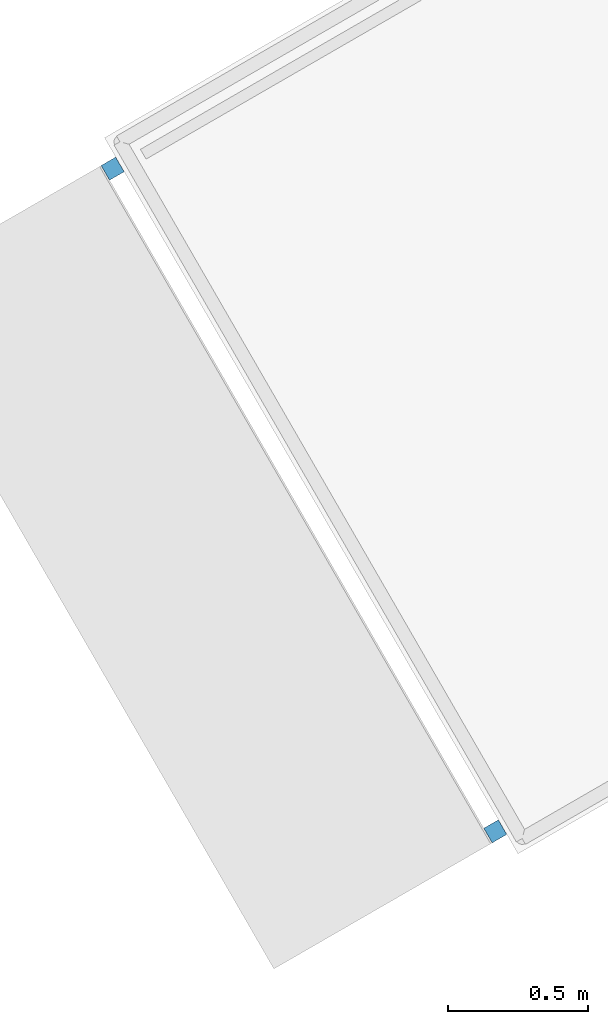
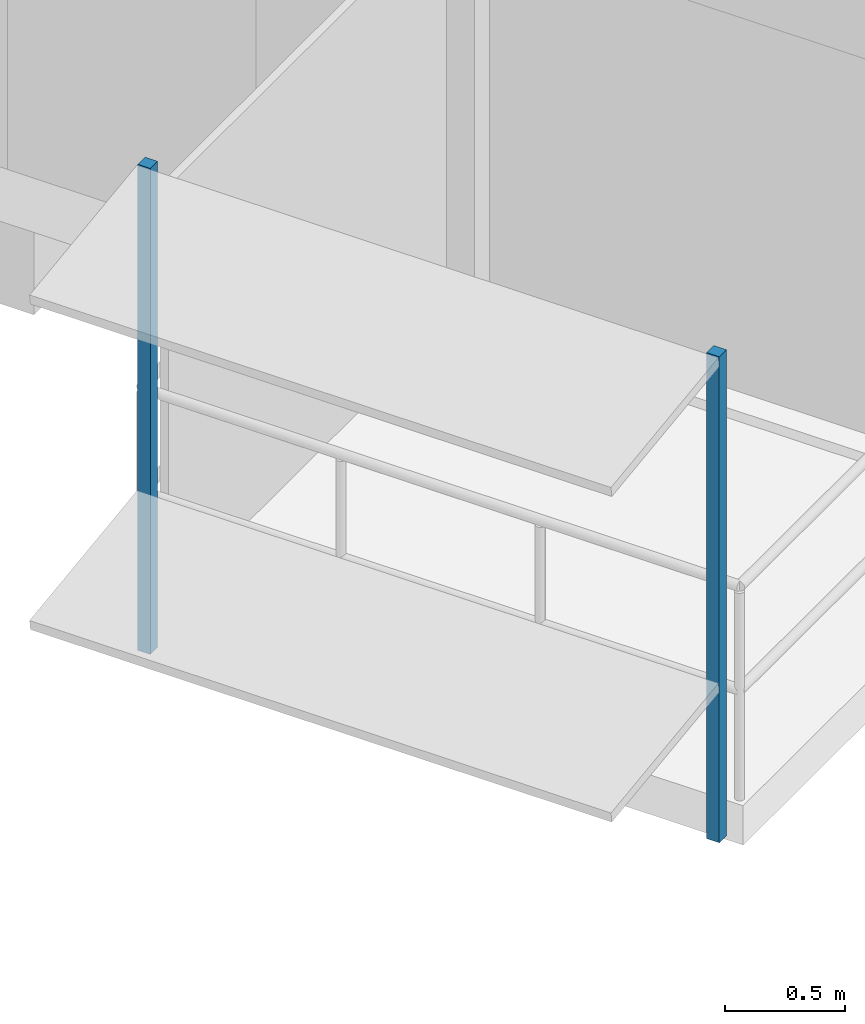
# One storey, part 11 of 17: 2 discrete accessories.
"""IFC4 building model written with IfcOpenShell, lengths in metres."""

from ifc_helpers import new_model, si_unit, direction, frame, origin, origin_2d, place, context, subcontext, project, spatial, rectangle, extrude, material, type_object, element, save


model = new_model("IFC4")

# Units and contexts
model_context = context("Model", 3, precision=1e-05, world=origin(), true_north=direction((0.0, 1.0)))
body_context = subcontext(model_context, "Body", "Model", "MODEL_VIEW")
ifc_project = project(units=[si_unit("LENGTHUNIT", "METRE"), si_unit("AREAUNIT", "SQUARE_METRE"), si_unit("VOLUMEUNIT", "CUBIC_METRE"), si_unit("PLANEANGLEUNIT", "RADIAN"), si_unit("MASSUNIT", "GRAM", prefix="KILO")], contexts=[model_context])

# Site, building, storey
site_placement = place(None, origin())
site = spatial("IfcSite", under=ifc_project, at=site_placement, CompositionType="ELEMENT")
building_placement = place(site_placement, origin())
building = spatial("IfcBuilding", under=site, at=building_placement, Name="Nakaniwa Court", CompositionType="ELEMENT")
storey_placement = place(building_placement, frame((0.0, 0.0, 209.699951171875)))
storey = spatial("IfcBuildingStorey", under=building, at=storey_placement, Name="L55", CompositionType="ELEMENT", Elevation=209.699951171875)

# Discrete accessories
ifc_material = material(Name="Black powder-coated steel bracket S275", Category="steel")
discrete_accessory_type = type_object("IfcDiscreteAccessoryType", Name="Black metal louvre bracket", PredefinedType="BRACKET", material=ifc_material)
for number, where, z_axis, x_axis, name in (
    (1, (59.105712890625, 66.02978515625, -0.229736328125), (0.0, 0.0, 1.0), (0.500016626402, -0.866015804314, 0.0), "L55 louvre bracket 02 1"),
    (2, (60.4697265625, 63.66748046875, -0.229736328125), (0.0, 0.0, 1.0), (0.500016626402, -0.866015804314, 0.0), "L55 louvre bracket 02 2"),
):
    element("IfcDiscreteAccessory", number, at=place(storey_placement, frame(where, z_axis=z_axis, x_axis=x_axis)), inside=storey, type_object=discrete_accessory_type, Name=name, PredefinedType="BRACKET", context=body_context, shape_type="SweptSolid", body=[
        extrude(rectangle(XDim=0.06005859375, YDim=0.06005859375, at=origin_2d()), origin(), (0.0, 0.0, 1.0), 2.46337890625),
    ])

save(model, "model.ifc")
